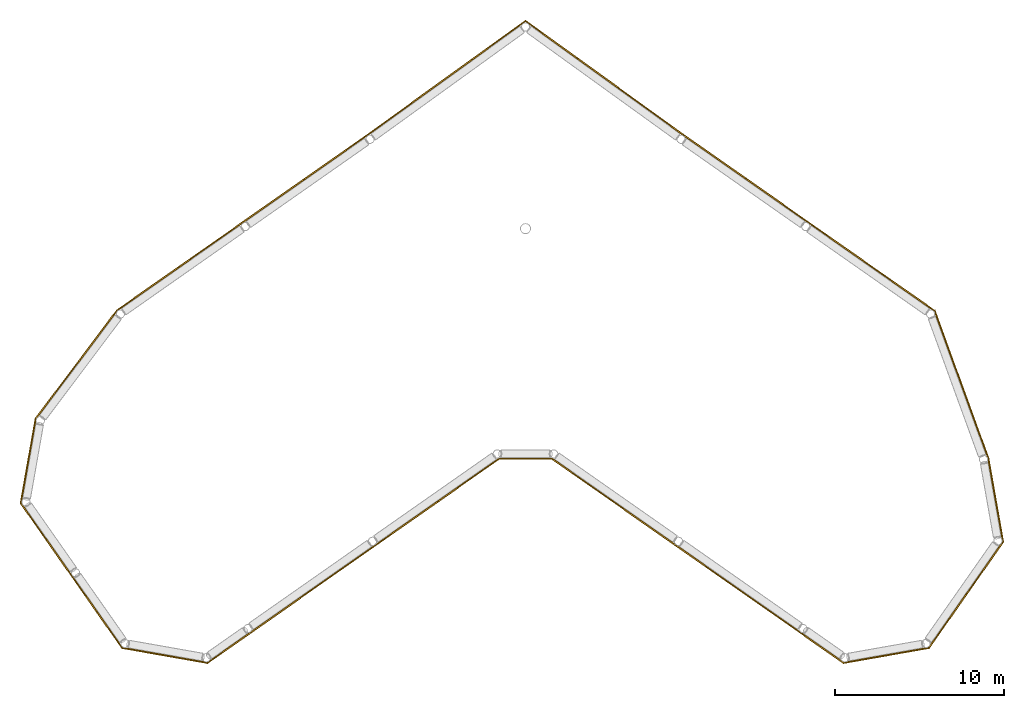
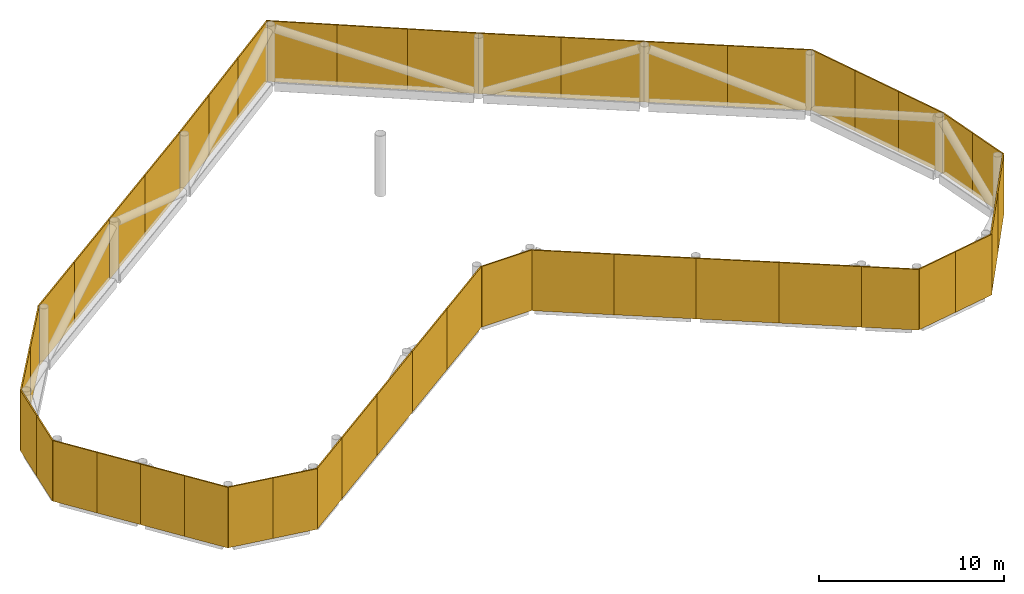
# One storey, part 4 of 4: 44 coverings.
"""IFC4 building model written with IfcOpenShell, lengths in metres."""

import ifcopenshell
import ifcopenshell.guid

model = None  # the IFC model being written
_history = None  # IfcOwnerHistory: only IFC2X3 demands one
_inside = {}  # id of a spatial element -> (the spatial element, [elements in it])
_under = {}  # id of a project, library or spatial element -> (it, [spatial elements below it])
_declared = {}  # id of a project -> (the project, [libraries it declares])
_typed = {}  # id of a type object -> (the type object, [elements of that type])
_made_of = {}  # id of a material, layer set ... -> (it, [elements and type objects made of it])


def new_model(schema):
    """Start an empty IFC model of exactly this schema.

    Asked for "IFC4X3", IfcOpenShell would pick the latest addendum, in which some entities
    have other attributes; the version numbers below select the first issue.
    IFC2X3 requires an IfcOwnerHistory on every rooted entity: one is made here for all.
    """
    global model, _history
    if schema == "IFC4X3":
        model = ifcopenshell.file(schema_version=(4, 3, 0, 0))
    else:
        model = ifcopenshell.file(schema=schema)
    _inside.clear()
    _under.clear()
    _declared.clear()
    _typed.clear()
    _made_of.clear()
    _history = None
    if model.schema == "IFC2X3":
        org = make("IfcOrganization", Name="unknown")
        user = make(
            "IfcPersonAndOrganization",
            ThePerson=make("IfcPerson", FamilyName="unknown"),
            TheOrganization=org,
        )
        app = make(
            "IfcApplication",
            ApplicationDeveloper=org,
            Version="unknown",
            ApplicationFullName="unknown",
            ApplicationIdentifier="unknown",
        )
        _history = make(
            "IfcOwnerHistory",
            OwningUser=user,
            OwningApplication=app,
            ChangeAction="ADDED",
            CreationDate=0,
        )
    return model


def make(cls, **values):
    """One entity of the class cls with the attributes given. An attribute that is None is left unset."""
    return model.create_entity(
        cls, **{name: value for name, value in values.items() if value is not None}
    )


def rooted(cls, **values):
    """An entity with a GlobalId (a new one), such as an element, a storey or a relation."""
    return make(cls, GlobalId=ifcopenshell.guid.new(), OwnerHistory=_history, **values)


def si_unit(unit_type, name, prefix=None):
    """IfcSIUnit, for example si_unit("LENGTHUNIT", "METRE", prefix="MILLI")."""
    return make("IfcSIUnit", UnitType=unit_type, Prefix=prefix, Name=name)


def assignment(units):
    """IfcUnitAssignment: the units of a project."""
    return None if units is None else make("IfcUnitAssignment", Units=units)


def point(xyz):
    """IfcCartesianPoint."""
    return None if xyz is None else make("IfcCartesianPoint", Coordinates=xyz)


def direction(xyz):
    """IfcDirection."""
    return None if xyz is None else make("IfcDirection", DirectionRatios=xyz)


def frame(location, z_axis=None, x_axis=None):
    """IfcAxis2Placement3D, a coordinate frame: its origin and axes. An axis left out is left unset."""
    return make(
        "IfcAxis2Placement3D",
        Location=point(location),
        Axis=direction(z_axis),
        RefDirection=direction(x_axis),
    )


def frame_2d(location, x_axis=None):
    """IfcAxis2Placement2D, a coordinate frame in the plane: its origin and x axis."""
    return make(
        "IfcAxis2Placement2D", Location=point(location), RefDirection=direction(x_axis)
    )


def origin():
    """The frame at (0, 0, 0) with its axes left unset."""
    return frame((0.0, 0.0, 0.0))


def origin_2d():
    """The frame at (0, 0) in the plane with its x axis left unset."""
    return frame_2d((0.0, 0.0))


def place(relative_to, where):
    """IfcLocalPlacement: puts the frame where relative to a parent placement (None: the world)."""
    return make(
        "IfcLocalPlacement", PlacementRelTo=relative_to, RelativePlacement=where
    )


def context(
    kind, dimensions, precision=None, world=None, true_north=None, identifier=None
):
    """IfcGeometricRepresentationContext, for example the 3D "Model" context."""
    return make(
        "IfcGeometricRepresentationContext",
        ContextIdentifier=identifier,
        ContextType=kind,
        CoordinateSpaceDimension=dimensions,
        Precision=precision,
        WorldCoordinateSystem=world,
        TrueNorth=true_north,
    )


def subcontext(parent, identifier, kind, view, scale=None):
    """IfcGeometricRepresentationSubContext, for example "Body" below "Model"."""
    return make(
        "IfcGeometricRepresentationSubContext",
        ContextIdentifier=identifier,
        ContextType=kind,
        ParentContext=parent,
        TargetScale=scale,
        TargetView=view,
    )


def project(units=None, contexts=None):
    """IfcProject with its units and contexts."""
    return rooted(
        "IfcProject",
        Name="project",
        RepresentationContexts=contexts,
        UnitsInContext=assignment(units),
    )


def spatial(cls, under=None, at=None, **own):
    """A site, building, storey or space (cls), placed at a placement, below another one or the project."""
    s = rooted(cls, ObjectPlacement=at, **own)
    if under is not None:
        _under.setdefault(under.id(), (under, []))[1].append(s)
    return s


def profile(cls, at=None, kind="AREA", **sizes):
    """A parametric profile (cls). Its sizes go by their IFC names, for example OverallWidth=200.0."""
    return make(cls, ProfileType=kind, Position=at, **sizes)


def rectangle(**sizes):
    """IfcRectangleProfileDef."""
    return profile("IfcRectangleProfileDef", **sizes)


def extrude(swept, where, along, depth):
    """IfcExtrudedAreaSolid: the profile swept, set in the frame where, extruded along a direction by depth."""
    return make(
        "IfcExtrudedAreaSolid",
        SweptArea=swept,
        Position=where,
        ExtrudedDirection=direction(along),
        Depth=depth,
    )


def shape(context_of_items, identifier, shape_type, items):
    """IfcShapeRepresentation: the items that make up one representation, for example the "Body"."""
    return make(
        "IfcShapeRepresentation",
        ContextOfItems=context_of_items,
        RepresentationIdentifier=identifier,
        RepresentationType=shape_type,
        Items=items,
    )


def material(Name=None, Category=None):
    """IfcMaterial."""
    return make("IfcMaterial", Name=Name, Category=Category)


def layer(
    of_material, thickness, ventilated=None, Name=None, Category=None, Priority=None
):
    """IfcMaterialLayer: one layer of a wall or slab, of a material (None: an air gap)."""
    return make(
        "IfcMaterialLayer",
        Material=of_material,
        LayerThickness=thickness,
        IsVentilated=ventilated,
        Name=Name,
        Category=Category,
        Priority=Priority,
    )


def layer_set(layers, Name=None):
    """IfcMaterialLayerSet."""
    return make("IfcMaterialLayerSet", MaterialLayers=layers, LayerSetName=Name)


def made_of(thing, what):
    """Note that an element or type object is made of a material, layer set ...; save() writes the relation."""
    if what is not None:
        _made_of.setdefault(what.id(), (what, []))[1].append(thing)
    return thing


def type_object(cls, material=None, **own):
    """A type object (cls), such as IfcWallType, which elements share."""
    return made_of(rooted(cls, **own), material)


def element(
    cls,
    number,
    at=None,
    inside=None,
    cuts=None,
    type_object=None,
    material=None,
    context=None,
    identifier="Body",
    shape_type=None,
    held_by="IfcProductDefinitionShape",
    body=None,
    shapes=None,
    **own,
):
    """One element of the class cls, such as IfcWall. Its Tag is "e" and its number.

    at: its placement. inside: the storey or other place that contains it. cuts: it is an
    opening in that element (IfcRelVoidsElement). A single representation is given by context,
    identifier, shape_type and body (its items); several are given by shapes. held_by: the class
    of the entity that holds the representations. save() writes the other relations.
    """
    e = rooted(cls, Tag="e%d" % number, ObjectPlacement=at, **own)
    if body is not None:
        shapes = [shape(context, identifier, shape_type, body)]
    if shapes is not None:
        e.Representation = make(held_by, Representations=shapes)
    if inside is not None:
        _inside.setdefault(inside.id(), (inside, []))[1].append(e)
    if cuts is not None:
        rooted(
            "IfcRelVoidsElement", RelatingBuildingElement=cuts, RelatedOpeningElement=e
        )
    if type_object is not None:
        _typed.setdefault(type_object.id(), (type_object, []))[1].append(e)
    return made_of(e, material)


def aggregate(whole, parts):
    """IfcRelAggregates: a whole, such as a stair, and the parts it consists of."""
    return rooted("IfcRelAggregates", RelatingObject=whole, RelatedObjects=parts)


def save(model, path):
    """Write the relations noted so far, then the file.

    IfcRelAggregates (storeys below a building ...), IfcRelContainedInSpatialStructure (elements
    in a storey), IfcRelDefinesByType, IfcRelAssociatesMaterial and IfcRelDeclares: one each for
    every whole, place, type object, material and project.
    """
    for whole, parts in _under.values():
        aggregate(whole, parts)
    for where, things in _inside.values():
        rooted(
            "IfcRelContainedInSpatialStructure",
            RelatedElements=things,
            RelatingStructure=where,
        )
    for kind, things in _typed.values():
        rooted("IfcRelDefinesByType", RelatedObjects=things, RelatingType=kind)
    for what, things in _made_of.values():
        rooted("IfcRelAssociatesMaterial", RelatedObjects=things, RelatingMaterial=what)
    for by, libraries in _declared.values():
        rooted("IfcRelDeclares", RelatingContext=by, RelatedDefinitions=libraries)
    model.write(path)


model = new_model("IFC4")

# Units and contexts
model_context = context("Model", 3, precision=1e-05, world=origin(), true_north=direction((0.0, 1.0)))
body_context = subcontext(model_context, "Body", "Model", "MODEL_VIEW")
ifc_project = project(units=[si_unit("LENGTHUNIT", "METRE"), si_unit("AREAUNIT", "SQUARE_METRE"), si_unit("VOLUMEUNIT", "CUBIC_METRE"), si_unit("PLANEANGLEUNIT", "RADIAN"), si_unit("MASSUNIT", "GRAM", prefix="KILO")], contexts=[model_context])

# Site, building, storey
site_placement = place(None, origin())
site = spatial("IfcSite", under=ifc_project, at=site_placement, CompositionType="ELEMENT")
building_placement = place(site_placement, origin())
building = spatial("IfcBuilding", under=site, at=building_placement, Name="Tel Ilan Convention Tower", CompositionType="ELEMENT")
storey_placement = place(building_placement, frame((0.0, 0.0, 334.800048828125)))
storey = spatial("IfcBuildingStorey", under=building, at=storey_placement, Name="L79", CompositionType="ELEMENT", Elevation=334.800048828125)

# Coverings
ifc_material = material(Name="Perforated aluminium sheet, bronze anodised", Category="aluminium")
ifc_layer = layer(ifc_material, 0.080078125)
ifc_layer_set = layer_set([ifc_layer], Name="CROWN SCREEN CLADDING 80")
covering_type = type_object("IfcCoveringType", Name="CROWN SCREEN CLADDING 80", PredefinedType="CLADDING", material=ifc_layer_set)
covering_1_placement = place(storey_placement, frame((-17.488525390625, -24.74658203125, 0.0), z_axis=(0.0, 0.0, 1.0), x_axis=(0.819059611512, 0.573708421404, 0.0)))
element("IfcCovering", 1, at=covering_1_placement, inside=storey, type_object=covering_type, Name="Crown screen", PredefinedType="CLADDING", context=body_context, shape_type="SweptSolid", body=[
    extrude(rectangle(XDim=3.119873046875, YDim=0.080078125, at=origin_2d()), origin(), (0.0, 0.0, 1.0), 4.0),
])
for number, where, z_axis, x_axis, name in (
    (2, (-14.367919921875, -22.56103515625, 0.0), (0.0, 0.0, 1.0), (0.819148388269, 0.573581657653, 0.0), "Crown screen"),
    (3, (-10.681884765625, -19.980224609375, 0.0), (0.0, 0.0, 1.0), (0.819148388269, 0.573581657653, 0.0), "Crown screen"),
):
    element("IfcCovering", number, at=place(storey_placement, frame(where, z_axis=z_axis, x_axis=x_axis)), inside=storey, type_object=covering_type, Name=name, PredefinedType="CLADDING", context=body_context, shape_type="SweptSolid", body=[
        extrude(rectangle(XDim=4.499755859375, YDim=0.080078125, at=origin_2d()), origin(), (0.0, 0.0, 1.0), 4.0),
    ])
for number, where, z_axis, x_axis, name in (
    (4, (-7.014404296875, -17.412109375, 0.0), (0.0, 0.0, 1.0), (0.819184940043, 0.573529453477, 0.0), "Crown screen"),
    (5, (-3.365234375, -14.857421875, 0.0), (0.0, 0.0, 1.0), (0.819184940043, 0.573529453477, 0.0), "Crown screen"),
):
    element("IfcCovering", number, at=place(storey_placement, frame(where, z_axis=z_axis, x_axis=x_axis)), inside=storey, type_object=covering_type, Name=name, PredefinedType="CLADDING", context=body_context, shape_type="SweptSolid", body=[
        extrude(rectangle(XDim=4.45458984375, YDim=0.080078125, at=origin_2d()), origin(), (0.0, 0.0, 1.0), 4.0),
    ])
covering_2_placement = place(storey_placement, frame((0.0400390625, -13.60302734375, 0.0), z_axis=(0.0, 0.0, 1.0), x_axis=(1.0, 0.0, 0.0)))
element("IfcCovering", 6, at=covering_2_placement, inside=storey, type_object=covering_type, Name="Crown screen", PredefinedType="CLADDING", context=body_context, shape_type="SweptSolid", body=[
    extrude(rectangle(XDim=3.147216796875, YDim=0.080078125, at=origin_2d()), origin(), (0.0, 0.0, 1.0), 4.0),
])
for number, where, z_axis, x_axis, name in (
    (7, (3.430908203125, -14.9033203125, 0.0), (0.0, 0.0, 1.0), (0.819184940043, -0.573529453477, 0.0), "Crown screen"),
    (8, (7.079833984375, -17.4580078125, 0.0), (0.0, 0.0, 1.0), (0.819184940043, -0.573529453477, 0.0), "Crown screen"),
):
    element("IfcCovering", number, at=place(storey_placement, frame(where, z_axis=z_axis, x_axis=x_axis)), inside=storey, type_object=covering_type, Name=name, PredefinedType="CLADDING", context=body_context, shape_type="SweptSolid", body=[
        extrude(rectangle(XDim=4.45458984375, YDim=0.080078125, at=origin_2d()), origin(), (0.0, 0.0, 1.0), 4.0),
    ])
for number, where, z_axis, x_axis, name in (
    (9, (10.747314453125, -20.02587890625, 0.0), (0.0, 0.0, 1.0), (0.819148388269, -0.573581657653, 0.0), "Crown screen"),
    (10, (14.433349609375, -22.60693359375, 0.0), (0.0, 0.0, 1.0), (0.819148388269, -0.573581657653, 0.0), "Crown screen"),
):
    element("IfcCovering", number, at=place(storey_placement, frame(where, z_axis=z_axis, x_axis=x_axis)), inside=storey, type_object=covering_type, Name=name, PredefinedType="CLADDING", context=body_context, shape_type="SweptSolid", body=[
        extrude(rectangle(XDim=4.499755859375, YDim=0.080078125, at=origin_2d()), origin(), (0.0, 0.0, 1.0), 4.0),
    ])
covering_3_placement = place(storey_placement, frame((17.55419921875, -24.79248046875, 0.0), z_axis=(0.0, 0.0, 1.0), x_axis=(0.819059611512, -0.573708421404, 0.0)))
element("IfcCovering", 11, at=covering_3_placement, inside=storey, type_object=covering_type, Name="Crown screen", PredefinedType="CLADDING", context=body_context, shape_type="SweptSolid", body=[
    extrude(rectangle(XDim=3.119873046875, YDim=0.080078125, at=origin_2d()), origin(), (0.0, 0.0, 1.0), 4.0),
])
for number, where, z_axis, x_axis, name in (
    (12, (20.098876953125, -25.435302734375, 0.0), (0.0, 0.0, 1.0), (0.984816554197, 0.173598256268, 0.0), "Crown screen"),
    (13, (22.61962890625, -24.990966796875, 0.0), (0.0, 0.0, 1.0), (0.984816554197, 0.173598256268, 0.0), "Crown screen"),
):
    element("IfcCovering", number, at=place(storey_placement, frame(where, z_axis=z_axis, x_axis=x_axis)), inside=storey, type_object=covering_type, Name=name, PredefinedType="CLADDING", context=body_context, shape_type="SweptSolid", body=[
        extrude(rectangle(XDim=2.5595703125, YDim=0.080078125, at=origin_2d()), origin(), (0.0, 0.0, 1.0), 4.0),
    ])
for number, where, z_axis, x_axis, name in (
    (14, (24.959228515625, -23.17822265625, 0.0), (0.0, 0.0, 1.0), (0.573607436495, 0.81913033688, 0.0), "Crown screen"),
    (15, (27.150634765625, -20.048828125, 0.0), (0.0, 0.0, 1.0), (0.573607436495, 0.81913033688, 0.0), "Crown screen"),
):
    element("IfcCovering", number, at=place(storey_placement, frame(where, z_axis=z_axis, x_axis=x_axis)), inside=storey, type_object=covering_type, Name=name, PredefinedType="CLADDING", context=body_context, shape_type="SweptSolid", body=[
        extrude(rectangle(XDim=3.8203125, YDim=0.080078125, at=origin_2d()), origin(), (0.0, 0.0, 1.0), 4.0),
    ])
for number, where, z_axis, x_axis, name in (
    (16, (27.99853515625, -17.240478515625, 0.0), (0.0, 0.0, 1.0), (-0.173598256268, 0.984816554197, 0.0), "Crown screen"),
    (17, (27.562255859375, -14.766357421875, 0.0), (0.0, 0.0, 1.0), (-0.173598256268, 0.984816554197, 0.0), "Crown screen"),
):
    element("IfcCovering", number, at=place(storey_placement, frame(where, z_axis=z_axis, x_axis=x_axis)), inside=storey, type_object=covering_type, Name=name, PredefinedType="CLADDING", context=body_context, shape_type="SweptSolid", body=[
        extrude(rectangle(XDim=2.51220703125, YDim=0.080078125, at=origin_2d()), origin(), (0.0, 0.0, 1.0), 4.0),
    ])
for number, where, z_axis, x_axis, name in (
    (18, (26.80859375, -12.0791015625, 0.0), (0.0, 0.0, 1.0), (-0.342225395125, 0.939617889853, 0.0), "Crown screen"),
    (19, (25.7509765625, -9.17529296875, 0.0), (0.0, 0.0, 1.0), (-0.342225395125, 0.939617889853, 0.0), "Crown screen"),
    (20, (24.693359375, -6.271240234375, 0.0), (0.0, 0.0, 1.0), (-0.342225395125, 0.939617889853, 0.0), "Crown screen"),
):
    element("IfcCovering", number, at=place(storey_placement, frame(where, z_axis=z_axis, x_axis=x_axis)), inside=storey, type_object=covering_type, Name=name, PredefinedType="CLADDING", context=body_context, shape_type="SweptSolid", body=[
        extrude(rectangle(XDim=3.090576171875, YDim=0.080078125, at=origin_2d()), origin(), (0.0, 0.0, 1.0), 4.0),
    ])
for number, where, z_axis, x_axis, name in (
    (21, (22.28369140625, -3.530029296875, 0.0), (0.0, 0.0, 1.0), (-0.819096180436, 0.573656209934, 0.0), "Crown screen"),
    (22, (18.560302734375, -0.92236328125, 0.0), (0.0, 0.0, 1.0), (-0.819096180436, 0.573656209934, 0.0), "Crown screen"),
):
    element("IfcCovering", number, at=place(storey_placement, frame(where, z_axis=z_axis, x_axis=x_axis)), inside=storey, type_object=covering_type, Name=name, PredefinedType="CLADDING", context=body_context, shape_type="SweptSolid", body=[
        extrude(rectangle(XDim=4.545654296875, YDim=0.080078125, at=origin_2d()), origin(), (0.0, 0.0, 1.0), 4.0),
    ])
for number, where, z_axis, x_axis, name in (
    (23, (14.85595703125, 1.671630859375, 0.0), (0.0, 0.0, 1.0), (-0.819148388189, 0.573581657768, 0.0), "Crown screen"),
    (24, (11.1708984375, 4.252197265625, 0.0), (0.0, 0.0, 1.0), (-0.819148388189, 0.573581657768, 0.0), "Crown screen"),
):
    element("IfcCovering", number, at=place(storey_placement, frame(where, z_axis=z_axis, x_axis=x_axis)), inside=storey, type_object=covering_type, Name=name, PredefinedType="CLADDING", context=body_context, shape_type="SweptSolid", body=[
        extrude(rectangle(XDim=4.498779296875, YDim=0.080078125, at=origin_2d()), origin(), (0.0, 0.0, 1.0), 4.0),
    ])
for number, where, z_axis, x_axis, name in (
    (25, (7.768310546875, 6.668701171875, 0.0), (0.0, 0.0, 1.0), (-0.810862932708, 0.585236109925, 0.0), "Crown screen"),
    (26, (4.648193359375, 8.9208984375, 0.0), (0.0, 0.0, 1.0), (-0.810862932708, 0.585236109925, 0.0), "Crown screen"),
    (27, (1.52783203125, 11.173095703125, 0.0), (0.0, 0.0, 1.0), (-0.810862932708, 0.585236109925, 0.0), "Crown screen"),
    (28, (-1.592529296875, 11.126220703125, 0.0), (0.0, 0.0, 1.0), (-0.810862932708, -0.585236109925, 0.0), "Crown screen"),
    (29, (-4.712890625, 8.8740234375, 0.0), (0.0, 0.0, 1.0), (-0.810862932708, -0.585236109925, 0.0), "Crown screen"),
    (30, (-7.833251953125, 6.6220703125, 0.0), (0.0, 0.0, 1.0), (-0.810862932708, -0.585236109925, 0.0), "Crown screen"),
):
    element("IfcCovering", number, at=place(storey_placement, frame(where, z_axis=z_axis, x_axis=x_axis)), inside=storey, type_object=covering_type, Name=name, PredefinedType="CLADDING", context=body_context, shape_type="SweptSolid", body=[
        extrude(rectangle(XDim=3.84814453125, YDim=0.080078125, at=origin_2d()), origin(), (0.0, 0.0, 1.0), 4.0),
    ])
for number, where, z_axis, x_axis, name in (
    (31, (-11.236328125, 4.206298828125, 0.0), (0.0, 0.0, 1.0), (-0.819148388269, -0.573581657653, 0.0), "Crown screen"),
    (32, (-14.921630859375, 1.625732421875, 0.0), (0.0, 0.0, 1.0), (-0.819148388269, -0.573581657653, 0.0), "Crown screen"),
):
    element("IfcCovering", number, at=place(storey_placement, frame(where, z_axis=z_axis, x_axis=x_axis)), inside=storey, type_object=covering_type, Name=name, PredefinedType="CLADDING", context=body_context, shape_type="SweptSolid", body=[
        extrude(rectangle(XDim=4.498779296875, YDim=0.080078125, at=origin_2d()), origin(), (0.0, 0.0, 1.0), 4.0),
    ])
for number, where, z_axis, x_axis, name in (
    (33, (-18.616455078125, -0.961669921875, 0.0), (0.0, 0.0, 1.0), (-0.819096180516, -0.57365620982, 0.0), "Crown screen"),
    (34, (-22.321533203125, -3.556396484375, 0.0), (0.0, 0.0, 1.0), (-0.819096180516, -0.57365620982, 0.0), "Crown screen"),
):
    element("IfcCovering", number, at=place(storey_placement, frame(where, z_axis=z_axis, x_axis=x_axis)), inside=storey, type_object=covering_type, Name=name, PredefinedType="CLADDING", context=body_context, shape_type="SweptSolid", body=[
        extrude(rectangle(XDim=4.523193359375, YDim=0.080078125, at=origin_2d()), origin(), (0.0, 0.0, 1.0), 4.0),
    ])
for number, where, z_axis, x_axis, name in (
    (35, (-25.3671875, -6.462890625, 0.0), (0.0, 0.0, 1.0), (-0.600648741526, -0.799513032604, 0.0), "Crown screen"),
    (36, (-27.771484375, -9.6630859375, 0.0), (0.0, 0.0, 1.0), (-0.600648741526, -0.799513032604, 0.0), "Crown screen"),
):
    element("IfcCovering", number, at=place(storey_placement, frame(where, z_axis=z_axis, x_axis=x_axis)), inside=storey, type_object=covering_type, Name=name, PredefinedType="CLADDING", context=body_context, shape_type="SweptSolid", body=[
        extrude(rectangle(XDim=4.002685546875, YDim=0.080078125, at=origin_2d()), origin(), (0.0, 0.0, 1.0), 4.0),
    ])
for number, where, z_axis, x_axis, name in (
    (37, (-29.176513671875, -12.5185546875, 0.0), (0.0, 0.0, 1.0), (-0.173598256268, -0.984816554197, 0.0), "Crown screen"),
    (38, (-29.616455078125, -15.014404296875, 0.0), (0.0, 0.0, 1.0), (-0.173598256268, -0.984816554197, 0.0), "Crown screen"),
):
    element("IfcCovering", number, at=place(storey_placement, frame(where, z_axis=z_axis, x_axis=x_axis)), inside=storey, type_object=covering_type, Name=name, PredefinedType="CLADDING", context=body_context, shape_type="SweptSolid", body=[
        extrude(rectangle(XDim=2.5341796875, YDim=0.080078125, at=origin_2d()), origin(), (0.0, 0.0, 1.0), 4.0),
    ])
for number, where, z_axis, x_axis, name in (
    (39, (-29.05810546875, -17.32470703125, 0.0), (0.0, 0.0, 1.0), (0.573514980355, -0.819195072805, 0.0), "Crown screen"),
    (40, (-27.56103515625, -19.462890625, 0.0), (0.0, 0.0, 1.0), (0.573514980355, -0.819195072805, 0.0), "Crown screen"),
):
    element("IfcCovering", number, at=place(storey_placement, frame(where, z_axis=z_axis, x_axis=x_axis)), inside=storey, type_object=covering_type, Name=name, PredefinedType="CLADDING", context=body_context, shape_type="SweptSolid", body=[
        extrude(rectangle(XDim=2.610107421875, YDim=0.080078125, at=origin_2d()), origin(), (0.0, 0.0, 1.0), 4.0),
    ])
for number, where, z_axis, x_axis, name in (
    (41, (-26.06396484375, -21.60107421875, 0.0), (0.0, 0.0, 1.0), (0.573646538701, -0.819102953625, 0.0), "Crown screen"),
    (42, (-24.56640625, -23.739501953125, 0.0), (0.0, 0.0, 1.0), (0.573646538701, -0.819102953625, 0.0), "Crown screen"),
):
    element("IfcCovering", number, at=place(storey_placement, frame(where, z_axis=z_axis, x_axis=x_axis)), inside=storey, type_object=covering_type, Name=name, PredefinedType="CLADDING", context=body_context, shape_type="SweptSolid", body=[
        extrude(rectangle(XDim=2.6103515625, YDim=0.080078125, at=origin_2d()), origin(), (0.0, 0.0, 1.0), 4.0),
    ])
for number, where, z_axis, x_axis, name in (
    (43, (-22.540771484375, -25.0048828125, 0.0), (0.0, 0.0, 1.0), (0.984816554197, -0.173598256268, 0.0), "Crown screen"),
    (44, (-20.02001953125, -25.44921875, 0.0), (0.0, 0.0, 1.0), (0.984816554197, -0.173598256268, 0.0), "Crown screen"),
):
    element("IfcCovering", number, at=place(storey_placement, frame(where, z_axis=z_axis, x_axis=x_axis)), inside=storey, type_object=covering_type, Name=name, PredefinedType="CLADDING", context=body_context, shape_type="SweptSolid", body=[
        extrude(rectangle(XDim=2.5595703125, YDim=0.080078125, at=origin_2d()), origin(), (0.0, 0.0, 1.0), 4.0),
    ])

save(model, "model.ifc")
